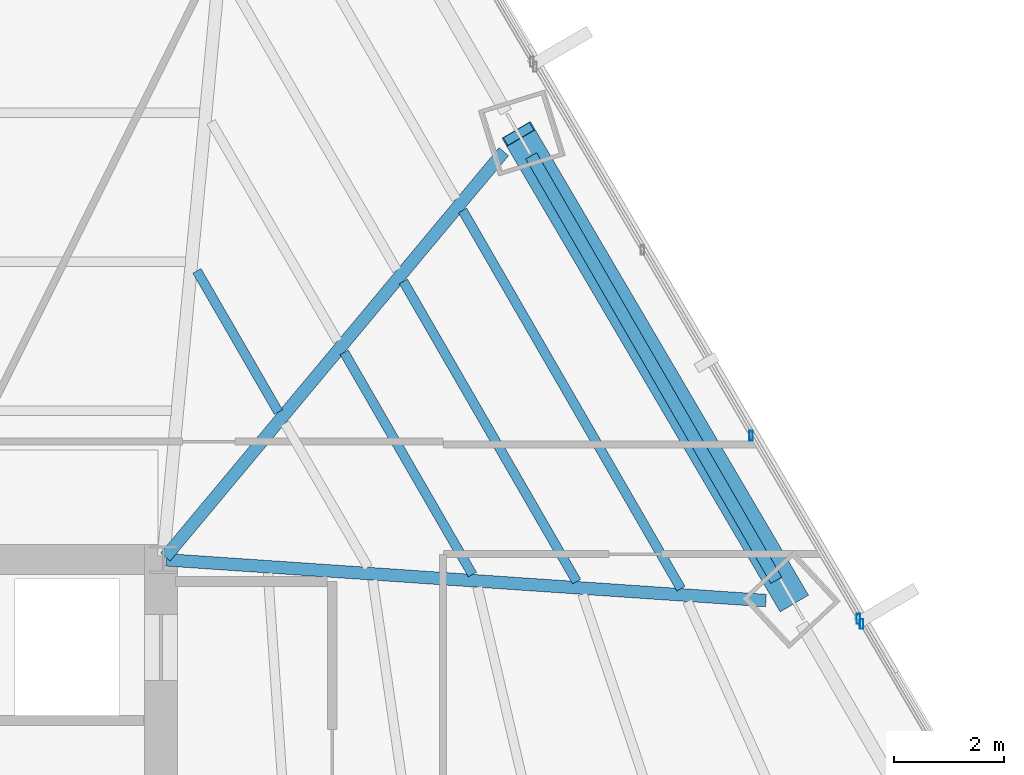
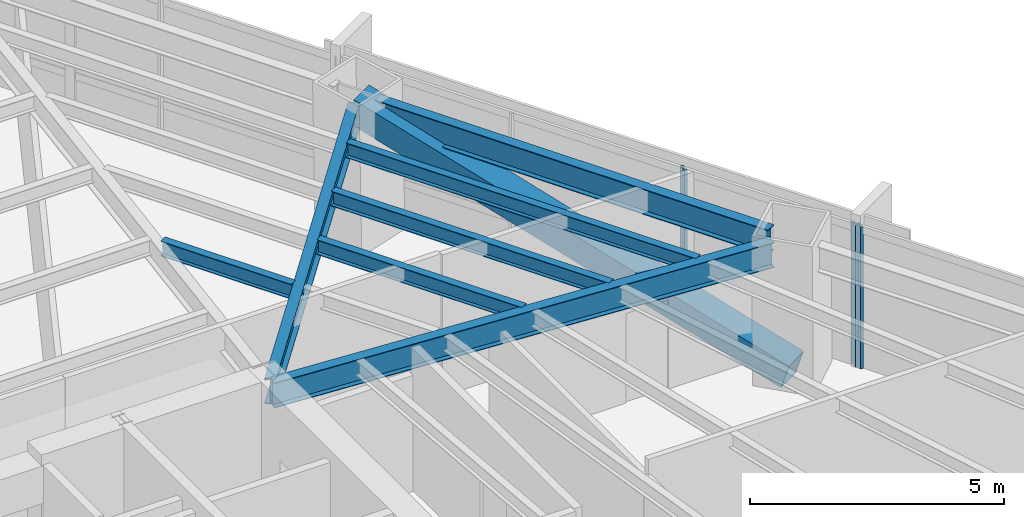
# One storey, part 19 of 33: 7 beams, 4 members, 2 elements without a shape of their own.
"""IFC4 building model written with IfcOpenShell, lengths in metres."""

from ifc_helpers import new_model, si_unit, direction, frame, origin, origin_2d, place, context, subcontext, project, spatial, hollow_rectangle, i_section, extrude, source, transform, mapped, material, material_profile, profile_set, type_object, type_shapes, element, aggregate, save


model = new_model("IFC4")

# Units and contexts
model_context = context("Model", 3, precision=1e-05, world=origin(), true_north=direction((0.0, 1.0)))
body_context = subcontext(model_context, "Body", "Model", "MODEL_VIEW")
ifc_project = project(units=[si_unit("LENGTHUNIT", "METRE"), si_unit("AREAUNIT", "SQUARE_METRE"), si_unit("VOLUMEUNIT", "CUBIC_METRE"), si_unit("PLANEANGLEUNIT", "RADIAN"), si_unit("MASSUNIT", "GRAM", prefix="KILO")], contexts=[model_context])

# Site, building, storey
site_placement = place(None, origin())
site = spatial("IfcSite", under=ifc_project, at=site_placement, CompositionType="ELEMENT")
building_placement = place(site_placement, origin())
building = spatial("IfcBuilding", under=site, at=building_placement, Name="Caelisora Broadcast Tower", CompositionType="ELEMENT")
storey_placement = place(building_placement, frame((0.0, 0.0, 34.89990234375)))
storey = spatial("IfcBuildingStorey", under=building, at=storey_placement, Name="L08", CompositionType="ELEMENT", Elevation=34.89990234375)

# Beams
ifc_material_1 = material(Name="Steel Grade 350 (AS/NZS 3679.1)", Category="steel")
ifc_material_profile_1 = material_profile(ifc_material_1, i_section(OverallWidth=0.22900390625, OverallDepth=0.611572265625, WebThickness=0.011962890625, FlangeThickness=0.01953125, at=origin_2d()), Name="Steel Grade 350 (AS/NZS 3679.1)")
ifc_profile_set_1 = profile_set([ifc_material_profile_1], Name="Steel Grade 350 (AS/NZS 3679.1)")
beam_type_1 = type_object("IfcBeamType", Name="PG03", PredefinedType="BEAM", material=ifc_profile_set_1)
shared_shape_1 = source(origin(), body_context, "Body", "SweptSolid", [
    extrude(i_section(OverallWidth=0.22900390625, OverallDepth=0.611572265625, WebThickness=0.011962890625, FlangeThickness=0.01953125, at=origin_2d()), origin(), (0.0, 0.0, 1.0), 8.93310546875),
])
type_shapes(beam_type_1, [shared_shape_1])
beam_1_placement = place(storey_placement, frame((56.673095703125, 29.623291015625, 3.09423828125), z_axis=(-0.499998455933, 0.86602629525, 0.0), x_axis=(-0.86602629525, -0.499998455933, 0.0)))
element("IfcBeam", 1, at=beam_1_placement, inside=storey, type_object=beam_type_1, Name="L08 beam PG03", PredefinedType="BEAM", context=body_context, shape_type="MappedRepresentation", body=[
    mapped(shared_shape_1, transform((0.0, 0.0, 0.0), scale=1.0)),
])
ifc_material_profile_2 = material_profile(ifc_material_1, i_section(OverallWidth=0.22802734375, OverallDepth=0.602294921875, WebThickness=0.010498046875, FlangeThickness=0.014892578125, at=origin_2d()), Name="Steel Grade 350 (AS/NZS 3679.1)")
ifc_profile_set_2 = profile_set([ifc_material_profile_2], Name="Steel Grade 350 (AS/NZS 3679.1)")
beam_type_2 = type_object("IfcBeamType", Name="PG04", PredefinedType="BEAM", material=ifc_profile_set_2)
shared_shape_2 = source(origin(), body_context, "Body", "SweptSolid", [
    extrude(i_section(OverallWidth=0.22802734375, OverallDepth=0.602294921875, WebThickness=0.010498046875, FlangeThickness=0.014892578125, at=origin_2d()), origin(), (0.0, 0.0, 1.0), 9.6259765625),
])
beam_2_placement = place(storey_placement, frame((45.53857421875, 30.046142578125, 3.098876953125), z_axis=(0.640837775615, 0.767676328504, 0.0), x_axis=(-0.767676328504, 0.640837775615, 0.0)))
element("IfcBeam", 2, at=beam_2_placement, inside=storey, type_object=beam_type_2, Name="L08 beam PG04", PredefinedType="BEAM", context=body_context, shape_type="MappedRepresentation", body=[
    mapped(shared_shape_2, transform((0.0, 0.0, 0.0), scale=1.0)),
])
shared_shape_3 = source(origin(), body_context, "Body", "SweptSolid", [
    extrude(i_section(OverallWidth=0.22802734375, OverallDepth=0.602294921875, WebThickness=0.010498046875, FlangeThickness=0.014892578125, at=origin_2d()), origin(), (0.0, 0.0, 1.0), 10.949462890625),
])
type_shapes(beam_type_2, [shared_shape_2, shared_shape_3])
beam_3_placement = place(storey_placement, frame((45.559814453125, 29.995849609375, 3.098876953125), z_axis=(0.997698594427, -0.06780497532, 0.0), x_axis=(0.06780497532, 0.997698594427, 0.0)))
element("IfcBeam", 3, at=beam_3_placement, inside=storey, type_object=beam_type_2, Name="L08 beam PG04", PredefinedType="BEAM", context=body_context, shape_type="MappedRepresentation", body=[
    mapped(shared_shape_3, transform((0.0, 0.0, 0.0), scale=1.0)),
])
ifc_material_profile_3 = material_profile(ifc_material_1, i_section(OverallWidth=0.172119140625, OverallDepth=0.358642578125, WebThickness=0.008056640625, FlangeThickness=0.012939453125, at=origin_2d()), Name="Steel Grade 350 (AS/NZS 3679.1)")
ifc_profile_set_3 = profile_set([ifc_material_profile_3], Name="Steel Grade 350 (AS/NZS 3679.1)")
beam_type_3 = type_object("IfcBeamType", Name="SB02", PredefinedType="JOIST", material=ifc_profile_set_3)
shared_shape_4 = source(origin(), body_context, "Body", "SweptSolid", [
    extrude(i_section(OverallWidth=0.172119140625, OverallDepth=0.358642578125, WebThickness=0.008056640625, FlangeThickness=0.012939453125, at=origin_2d()), origin(), (0.0, 0.0, 1.0), 2.972412109375),
])
beam_4_placement = place(storey_placement, frame((47.599609375, 32.688720703125, 3.220703125), z_axis=(-0.500061363367, 0.865989972729, 0.0), x_axis=(-0.865989972729, -0.500061363367, 0.0)))
element("IfcBeam", 4, at=beam_4_placement, inside=storey, type_object=beam_type_3, Name="L08 beam SB02", PredefinedType="JOIST", context=body_context, shape_type="MappedRepresentation", body=[
    mapped(shared_shape_4, transform((0.0, 0.0, 0.0), scale=1.0)),
])
shared_shape_5 = source(origin(), body_context, "Body", "SweptSolid", [
    extrude(i_section(OverallWidth=0.172119140625, OverallDepth=0.358642578125, WebThickness=0.008056640625, FlangeThickness=0.012939453125, at=origin_2d()), origin(), (0.0, 0.0, 1.0), 4.674072265625),
])
beam_5_placement = place(storey_placement, frame((51.134521484375, 29.728759765625, 3.220703125), z_axis=(-0.499981686864, 0.86603597662, 0.0), x_axis=(-0.86603597662, -0.499981686864, 0.0)))
element("IfcBeam", 5, at=beam_5_placement, inside=storey, type_object=beam_type_3, Name="L08 beam SB02", PredefinedType="JOIST", context=body_context, shape_type="MappedRepresentation", body=[
    mapped(shared_shape_5, transform((0.0, 0.0, 0.0), scale=1.0)),
])
shared_shape_6 = source(origin(), body_context, "Body", "SweptSolid", [
    extrude(i_section(OverallWidth=0.172119140625, OverallDepth=0.358642578125, WebThickness=0.008056640625, FlangeThickness=0.012939453125, at=origin_2d()), origin(), (0.0, 0.0, 1.0), 6.316162109375),
])
beam_6_placement = place(storey_placement, frame((53.034912109375, 29.599609375, 3.220703125), z_axis=(-0.49998455448, 0.866034321076, 0.0), x_axis=(-0.866034321076, -0.49998455448, 0.0)))
element("IfcBeam", 6, at=beam_6_placement, inside=storey, type_object=beam_type_3, Name="L08 beam SB02", PredefinedType="JOIST", context=body_context, shape_type="MappedRepresentation", body=[
    mapped(shared_shape_6, transform((0.0, 0.0, 0.0), scale=1.0)),
])
shared_shape_7 = source(origin(), body_context, "Body", "SweptSolid", [
    extrude(i_section(OverallWidth=0.172119140625, OverallDepth=0.358642578125, WebThickness=0.008056640625, FlangeThickness=0.012939453125, at=origin_2d()), origin(), (0.0, 0.0, 1.0), 7.958251953125),
])
type_shapes(beam_type_3, [shared_shape_4, shared_shape_5, shared_shape_6, shared_shape_7])
beam_7_placement = place(storey_placement, frame((54.935546875, 29.470458984375, 3.220703125), z_axis=(-0.500009246893, 0.866020065022, 0.0), x_axis=(-0.866020065022, -0.500009246893, 0.0)))
element("IfcBeam", 7, at=beam_7_placement, inside=storey, type_object=beam_type_3, Name="L08 beam SB02", PredefinedType="JOIST", context=body_context, shape_type="MappedRepresentation", body=[
    mapped(shared_shape_7, transform((0.0, 0.0, 0.0), scale=1.0)),
])

# Member
ifc_material_2 = material(Name="Steel Grade 450 L15 (AS/NZS 3678)", Category="steel")
ifc_material_profile_4 = material_profile(ifc_material_2, hollow_rectangle(XDim=0.60009765625, YDim=0.60009765625, WallThickness=0.02490234375, at=origin_2d()), Name="Steel Grade 450 L15 (AS/NZS 3678)")
ifc_profile_set_4 = profile_set([ifc_material_profile_4], Name="Steel Grade 450 L15 (AS/NZS 3678)")
member_type_1 = type_object("IfcMemberType", Name="BR01", PredefinedType="BRACE", material=ifc_profile_set_4)
shared_shape_8 = source(origin(), body_context, "Body", "SweptSolid", [
    extrude(hollow_rectangle(XDim=0.60009765625, YDim=0.60009765625, WallThickness=0.02490234375, at=origin_2d()), origin(), (0.0, 0.0, 1.0), 10.2841796875),
])
type_shapes(member_type_1, [shared_shape_8])
member_1_placement = place(storey_placement, frame((56.95751953125, 29.275390625, 0.10009765625), z_axis=(-0.484329215905, 0.824822007971, 0.291708528823), x_axis=(-0.862326972692, -0.506351846218, 0.0)))
element("IfcMember", 8, at=member_1_placement, inside=storey, type_object=member_type_1, Name="L08 perimeter brace BR01", PredefinedType="BRACE", context=body_context, shape_type="MappedRepresentation", body=[
    mapped(shared_shape_8, transform((0.0, 0.0, 0.0), scale=1.0)),
])

# Curtain wall, members
ifc_material_3 = material(Name="Unitised Aluminium Insulated Shadow-Box Spandrel Curtain Wall", Category="aluminium")
curtain_wall_type_1 = type_object("IfcCurtainWallType", Name="CW-SP1", PredefinedType="NOTDEFINED", material=ifc_material_3)
curtain_wall_1_placement = place(storey_placement, origin())
curtain_wall_1 = element("IfcCurtainWall", 9, at=curtain_wall_1_placement, inside=storey, type_object=curtain_wall_type_1, Name="L08 curtain wall CW-SP1", PredefinedType="NOTDEFINED")
ifc_material_4 = material(Name="Aluminium 6063-T6 Anodised Terracotta Bronze", Category="aluminium")
ifc_material_profile_5 = material_profile(ifc_material_4, hollow_rectangle(XDim=0.06494140625, YDim=0.179931640625, WallThickness=0.00341796875, at=origin_2d()), Name="Aluminium 6063-T6 Anodised Terracotta Bronze")
ifc_profile_set_5 = profile_set([ifc_material_profile_5], Name="Aluminium 6063-T6 Anodised Terracotta Bronze")
member_type_2 = type_object("IfcMemberType", Name="CWM-02", PredefinedType="MULLION", material=ifc_profile_set_5)
shared_shape_9 = source(origin(), body_context, "Body", "SweptSolid", [
    extrude(hollow_rectangle(XDim=0.06494140625, YDim=0.179931640625, WallThickness=0.00341796875, at=origin_2d()), origin(), (0.0, 0.0, 1.0), 3.400146484375),
])
type_shapes(member_type_2, [shared_shape_9])
member_2_placement = place(storey_placement, frame((56.21630859375, 32.26025390625, 0.0), z_axis=(0.0, 0.0, 1.0), x_axis=(1.0, 0.0, 0.0)))
member_2 = element("IfcMember", 10, at=member_2_placement, type_object=member_type_2, Name="L08-CW-B02 mullion #2", PredefinedType="MULLION", context=body_context, shape_type="MappedRepresentation", body=[
    mapped(shared_shape_9, transform((0.0, 0.0, 0.0), scale=1.0)),
])
member_3_placement = place(storey_placement, frame((58.173095703125, 28.92138671875, 0.0), z_axis=(0.0, 0.0, 1.0), x_axis=(1.0, 0.0, 0.0)))
member_3 = element("IfcMember", 11, at=member_3_placement, type_object=member_type_2, Name="L08-CW-B02 mullion #3", PredefinedType="MULLION", context=body_context, shape_type="MappedRepresentation", body=[
    mapped(shared_shape_9, transform((0.0, 0.0, 0.0), scale=1.0)),
])
aggregate(curtain_wall_1, [member_2, member_3])

# Curtain wall, member
ifc_material_5 = material(Name="Unitised Aluminium and Low-E Glass Curtain Wall", Category="glass")
curtain_wall_type_2 = type_object("IfcCurtainWallType", Name="CW-Z1", PredefinedType="NOTDEFINED", material=ifc_material_5)
curtain_wall_2_placement = place(storey_placement, origin())
curtain_wall_2 = element("IfcCurtainWall", 12, at=curtain_wall_2_placement, inside=storey, type_object=curtain_wall_type_2, Name="L08 curtain wall CW-Z1", PredefinedType="NOTDEFINED")
member_4_placement = place(storey_placement, frame((58.22900390625, 28.826416015625, 0.0), z_axis=(0.0, 0.0, 1.0), x_axis=(1.0, 0.0, 0.0)))
member_4 = element("IfcMember", 13, at=member_4_placement, type_object=member_type_2, Name="L08-CW-B03 mullion #0", PredefinedType="MULLION", context=body_context, shape_type="MappedRepresentation", body=[
    mapped(shared_shape_9, transform((0.0, 0.0, 0.0), scale=1.0)),
])
aggregate(curtain_wall_2, [member_4])

save(model, "model.ifc")
